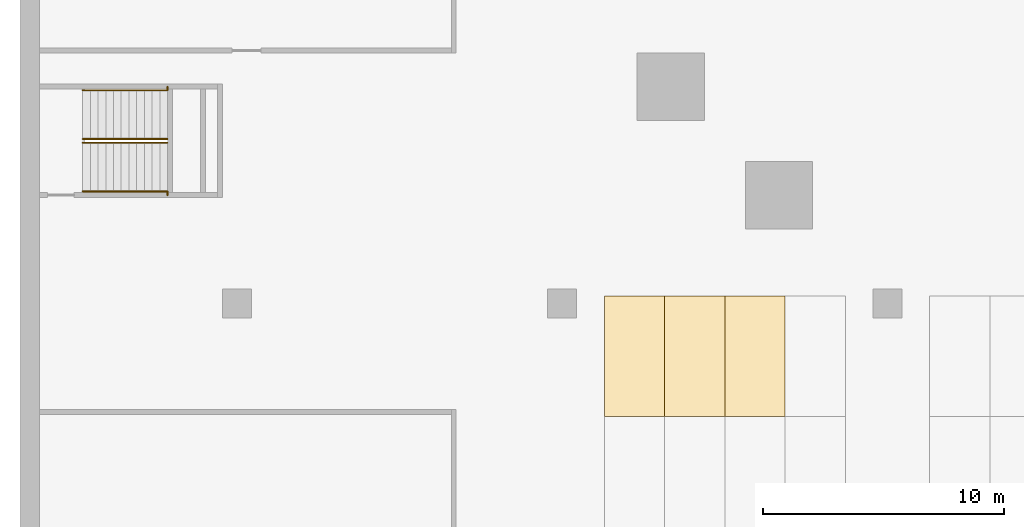
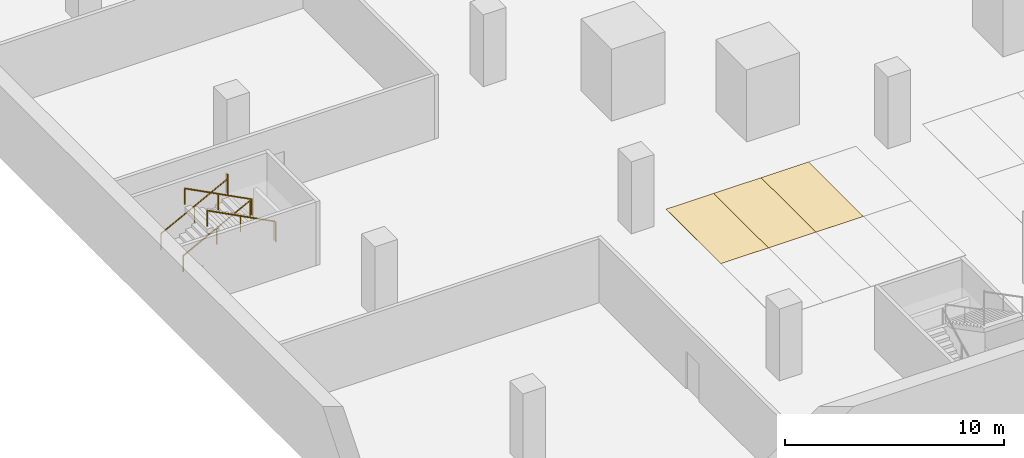
# One storey, part 18 of 31: 6 railings, 3 coverings.
"""IFC4 building model written with IfcOpenShell, lengths in metres."""

from ifc_helpers import new_model, si_unit, direction, frame, origin, origin_2d, place, context, subcontext, project, spatial, polyline, circle, outline, extrude, source, transform, mapped, material, layer, layer_set, type_object, element, save


model = new_model("IFC4")

# Units and contexts
model_context = context("Model", 3, precision=1e-05, world=origin(), true_north=direction((0.0, 1.0)))
body_context = subcontext(model_context, "Body", "Model", "MODEL_VIEW")
ifc_project = project(units=[si_unit("LENGTHUNIT", "METRE"), si_unit("AREAUNIT", "SQUARE_METRE"), si_unit("VOLUMEUNIT", "CUBIC_METRE"), si_unit("PLANEANGLEUNIT", "RADIAN"), si_unit("MASSUNIT", "GRAM", prefix="KILO")], contexts=[model_context])

# Site, building, storey
site_placement = place(None, origin())
site = spatial("IfcSite", under=ifc_project, at=site_placement, CompositionType="ELEMENT")
building_placement = place(site_placement, origin())
building = spatial("IfcBuilding", under=site, at=building_placement, Name="Altepetl Exchange Towers", CompositionType="ELEMENT")
storey_placement = place(building_placement, frame((0.0, 0.0, -4.0)))
storey = spatial("IfcBuildingStorey", under=building, at=storey_placement, Name="B1 Basement services", CompositionType="ELEMENT", Elevation=-4.0)

# Coverings
ifc_material_1 = material(Name="Road marking paint")
ifc_layer = layer(ifc_material_1, 0.010009765625)
ifc_layer_set = layer_set([ifc_layer], Name="Road marking paint")
covering_type = type_object("IfcCoveringType", Name="Parking bay marking 2500 x 5000", PredefinedType="FLOORING", material=ifc_layer_set)
covering_1_placement = place(storey_placement, origin())
element("IfcCovering", 1, at=covering_1_placement, inside=storey, type_object=covering_type, Name="Parking bay B1-049", PredefinedType="FLOORING", context=body_context, shape_type="SweptSolid", body=[
    extrude(outline(polyline([(24.25, 17.800048828125), (26.75, 17.800048828125), (26.75, 22.800048828125), (24.25, 22.800048828125), (24.25, 17.800048828125)])), origin(), (0.0, 0.0, 1.0), 0.010009765625),
])
covering_2_placement = place(storey_placement, origin())
element("IfcCovering", 2, at=covering_2_placement, inside=storey, type_object=covering_type, Name="Parking bay B1-050", PredefinedType="FLOORING", context=body_context, shape_type="SweptSolid", body=[
    extrude(outline(polyline([(26.75, 17.800048828125), (29.25, 17.800048828125), (29.25, 22.800048828125), (26.75, 22.800048828125), (26.75, 17.800048828125)])), origin(), (0.0, 0.0, 1.0), 0.010009765625),
])
covering_3_placement = place(storey_placement, origin())
element("IfcCovering", 3, at=covering_3_placement, inside=storey, type_object=covering_type, Name="Parking bay B1-051", PredefinedType="FLOORING", context=body_context, shape_type="SweptSolid", body=[
    extrude(outline(polyline([(29.25, 17.800048828125), (31.75, 17.800048828125), (31.75, 22.800048828125), (29.25, 22.800048828125), (29.25, 17.800048828125)])), origin(), (0.0, 0.0, 1.0), 0.010009765625),
])

# Railings
ifc_material_2 = material(Name="Laminated glass and steel", Category="steel")
railing_type_1 = type_object("IfcRailingType", Name="Hall gallery guard 1100", PredefinedType="GUARDRAIL", material=ifc_material_2)
shared_shape_1 = source(origin(), body_context, "Body", "SweptSolid", [
    extrude(circle(Radius=0.02001953125, at=origin_2d()), origin(), (0.0, 0.0, 1.0), 1.050048828125),
])
for number, where, name in (
    (4, (6.1201171875, 31.5, 2.0), "rail:P:B1:ES3land0"),
    (5, (6.1201171875, 27.14990234375, 2.0), "rail:P:B1:ES3land1"),
):
    element("IfcRailing", number, at=place(storey_placement, frame(where)), inside=storey, type_object=railing_type_1, Name=name, PredefinedType="GUARDRAIL", context=body_context, shape_type="SweptSolid", body=[
        extrude(circle(Radius=0.02490234375, at=origin_2d()), frame((0.0, 0.0, 1.0751953125), z_axis=(0.0, -1.0, 0.0), x_axis=(1.0, 0.0, 0.0)), (0.0, 0.0, 1.0), 0.14990234375),
        mapped(shared_shape_1, transform((0.0, 0.0, 0.0))),
        mapped(shared_shape_1, transform((0.0, -0.14990234375, 0.0))),
    ])
ifc_material_3 = material(Name="Stainless steel", Category="steel")
railing_type_2 = type_object("IfcRailingType", Name="Stair handrail 900", PredefinedType="HANDRAIL", material=ifc_material_3)
shared_shape_2 = source(origin(), body_context, "Body", "SweptSolid", [
    extrude(circle(Radius=0.02001953125, at=origin_2d()), origin(), (0.0, 0.0, 1.0), 0.849853515625),
])
for number, where, name in (
    (6, (2.60009765625, 31.35009765625, 0.166748046875), "rail:P:B1:ES3:1a"),
    (7, (2.60009765625, 29.324951171875, 0.166748046875), "rail:P:B1:ES3:1b"),
):
    element("IfcRailing", number, at=place(storey_placement, frame(where)), inside=storey, type_object=railing_type_2, Name=name, PredefinedType="HANDRAIL", context=body_context, shape_type="SweptSolid", body=[
        extrude(circle(Radius=0.02490234375, at=origin_2d()), frame((0.0, 0.0, 0.875), z_axis=(0.886923534906, 0.0, 0.461916272965), x_axis=(0.0, 1.0, 0.0)), (0.0, 0.0, 1.0), 3.96875),
        mapped(shared_shape_2, transform((0.0, 0.0, 0.0))),
        mapped(shared_shape_2, transform((1.760009765625, 0.0, 0.91650390625))),
        mapped(shared_shape_2, transform((3.52001953125, 0.0, 1.833251953125))),
    ])
for number, where, name in (
    (8, (6.1201171875, 29.175048828125, 2.166748046875), "rail:P:B1:ES3:2a"),
    (9, (6.1201171875, 27.14990234375, 2.166748046875), "rail:P:B1:ES3:2b"),
):
    element("IfcRailing", number, at=place(storey_placement, frame(where)), inside=storey, type_object=railing_type_2, Name=name, PredefinedType="HANDRAIL", context=body_context, shape_type="SweptSolid", body=[
        extrude(circle(Radius=0.02490234375, at=origin_2d()), frame((0.0, 0.0, 0.875), z_axis=(-0.886923534906, 0.0, 0.461916272965), x_axis=(0.0, -1.0, 0.0)), (0.0, 0.0, 1.0), 3.96875),
        mapped(shared_shape_2, transform((0.0, 0.0, 0.0))),
        mapped(shared_shape_2, transform((-1.760009765625, 0.0, 0.91650390625))),
        mapped(shared_shape_2, transform((-3.52001953125, 0.0, 1.833251953125))),
    ])

save(model, "model.ifc")
